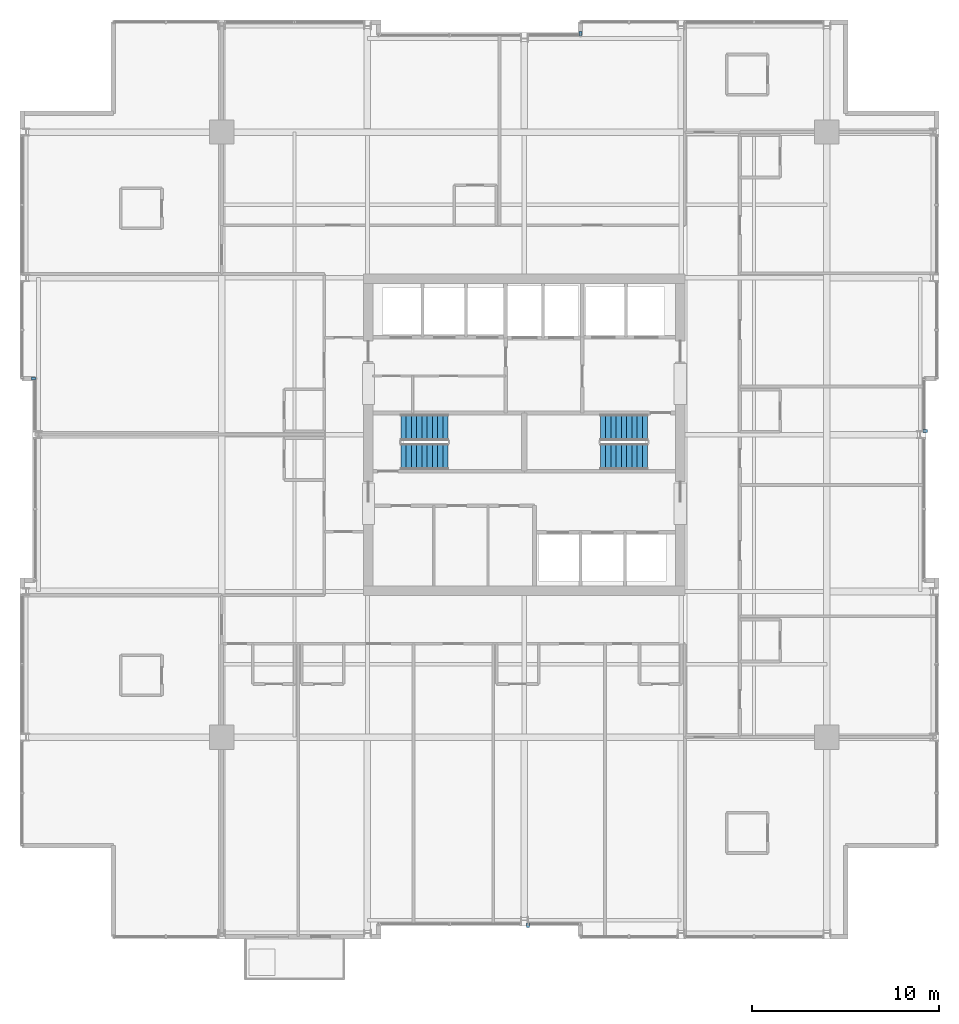
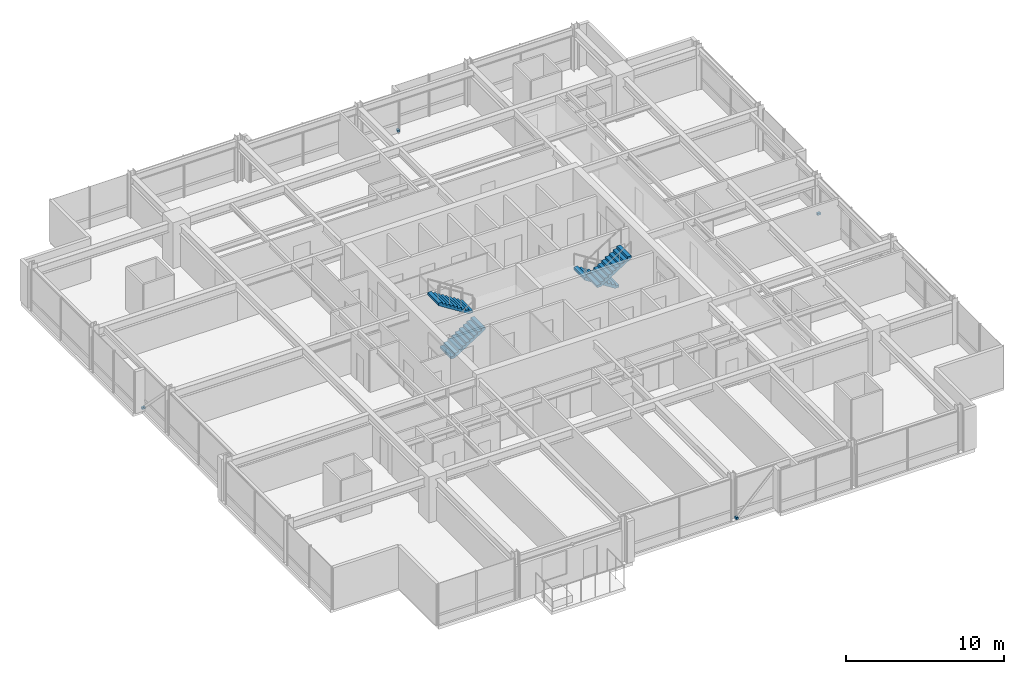
# One storey, part 30 of 33: 4 discrete accessories, 4 stair flights, 2 elements without a shape of their own.
"""IFC4 building model written with IfcOpenShell, lengths in metres."""

import ifcopenshell
import ifcopenshell.guid

model = None  # the IFC model being written
_history = None  # IfcOwnerHistory: only IFC2X3 demands one
_inside = {}  # id of a spatial element -> (the spatial element, [elements in it])
_under = {}  # id of a project, library or spatial element -> (it, [spatial elements below it])
_declared = {}  # id of a project -> (the project, [libraries it declares])
_typed = {}  # id of a type object -> (the type object, [elements of that type])
_made_of = {}  # id of a material, layer set ... -> (it, [elements and type objects made of it])


def new_model(schema):
    """Start an empty IFC model of exactly this schema.

    Asked for "IFC4X3", IfcOpenShell would pick the latest addendum, in which some entities
    have other attributes; the version numbers below select the first issue.
    IFC2X3 requires an IfcOwnerHistory on every rooted entity: one is made here for all.
    """
    global model, _history
    if schema == "IFC4X3":
        model = ifcopenshell.file(schema_version=(4, 3, 0, 0))
    else:
        model = ifcopenshell.file(schema=schema)
    _inside.clear()
    _under.clear()
    _declared.clear()
    _typed.clear()
    _made_of.clear()
    _history = None
    if model.schema == "IFC2X3":
        org = make("IfcOrganization", Name="unknown")
        user = make(
            "IfcPersonAndOrganization",
            ThePerson=make("IfcPerson", FamilyName="unknown"),
            TheOrganization=org,
        )
        app = make(
            "IfcApplication",
            ApplicationDeveloper=org,
            Version="unknown",
            ApplicationFullName="unknown",
            ApplicationIdentifier="unknown",
        )
        _history = make(
            "IfcOwnerHistory",
            OwningUser=user,
            OwningApplication=app,
            ChangeAction="ADDED",
            CreationDate=0,
        )
    return model


def make(cls, **values):
    """One entity of the class cls with the attributes given. An attribute that is None is left unset."""
    return model.create_entity(
        cls, **{name: value for name, value in values.items() if value is not None}
    )


def rooted(cls, **values):
    """An entity with a GlobalId (a new one), such as an element, a storey or a relation."""
    return make(cls, GlobalId=ifcopenshell.guid.new(), OwnerHistory=_history, **values)


def si_unit(unit_type, name, prefix=None):
    """IfcSIUnit, for example si_unit("LENGTHUNIT", "METRE", prefix="MILLI")."""
    return make("IfcSIUnit", UnitType=unit_type, Prefix=prefix, Name=name)


def assignment(units):
    """IfcUnitAssignment: the units of a project."""
    return None if units is None else make("IfcUnitAssignment", Units=units)


def point(xyz):
    """IfcCartesianPoint."""
    return None if xyz is None else make("IfcCartesianPoint", Coordinates=xyz)


def direction(xyz):
    """IfcDirection."""
    return None if xyz is None else make("IfcDirection", DirectionRatios=xyz)


def frame(location, z_axis=None, x_axis=None):
    """IfcAxis2Placement3D, a coordinate frame: its origin and axes. An axis left out is left unset."""
    return make(
        "IfcAxis2Placement3D",
        Location=point(location),
        Axis=direction(z_axis),
        RefDirection=direction(x_axis),
    )


def frame_2d(location, x_axis=None):
    """IfcAxis2Placement2D, a coordinate frame in the plane: its origin and x axis."""
    return make(
        "IfcAxis2Placement2D", Location=point(location), RefDirection=direction(x_axis)
    )


def origin():
    """The frame at (0, 0, 0) with its axes left unset."""
    return frame((0.0, 0.0, 0.0))


def origin_2d():
    """The frame at (0, 0) in the plane with its x axis left unset."""
    return frame_2d((0.0, 0.0))


def place(relative_to, where):
    """IfcLocalPlacement: puts the frame where relative to a parent placement (None: the world)."""
    return make(
        "IfcLocalPlacement", PlacementRelTo=relative_to, RelativePlacement=where
    )


def context(
    kind, dimensions, precision=None, world=None, true_north=None, identifier=None
):
    """IfcGeometricRepresentationContext, for example the 3D "Model" context."""
    return make(
        "IfcGeometricRepresentationContext",
        ContextIdentifier=identifier,
        ContextType=kind,
        CoordinateSpaceDimension=dimensions,
        Precision=precision,
        WorldCoordinateSystem=world,
        TrueNorth=true_north,
    )


def subcontext(parent, identifier, kind, view, scale=None):
    """IfcGeometricRepresentationSubContext, for example "Body" below "Model"."""
    return make(
        "IfcGeometricRepresentationSubContext",
        ContextIdentifier=identifier,
        ContextType=kind,
        ParentContext=parent,
        TargetScale=scale,
        TargetView=view,
    )


def project(units=None, contexts=None):
    """IfcProject with its units and contexts."""
    return rooted(
        "IfcProject",
        Name="project",
        RepresentationContexts=contexts,
        UnitsInContext=assignment(units),
    )


def spatial(cls, under=None, at=None, **own):
    """A site, building, storey or space (cls), placed at a placement, below another one or the project."""
    s = rooted(cls, ObjectPlacement=at, **own)
    if under is not None:
        _under.setdefault(under.id(), (under, []))[1].append(s)
    return s


def polyline(points):
    """IfcPolyline through the points."""
    return make("IfcPolyline", Points=[point(p) for p in points])


def profile(cls, at=None, kind="AREA", **sizes):
    """A parametric profile (cls). Its sizes go by their IFC names, for example OverallWidth=200.0."""
    return make(cls, ProfileType=kind, Position=at, **sizes)


def rectangle(**sizes):
    """IfcRectangleProfileDef."""
    return profile("IfcRectangleProfileDef", **sizes)


def outline(outer, holes=None, kind="AREA"):
    """IfcArbitraryClosedProfileDef: a profile drawn as a closed curve; with holes, ...WithVoids."""
    if holes is None:
        return make("IfcArbitraryClosedProfileDef", ProfileType=kind, OuterCurve=outer)
    return make(
        "IfcArbitraryProfileDefWithVoids",
        ProfileType=kind,
        OuterCurve=outer,
        InnerCurves=holes,
    )


def extrude(swept, where, along, depth):
    """IfcExtrudedAreaSolid: the profile swept, set in the frame where, extruded along a direction by depth."""
    return make(
        "IfcExtrudedAreaSolid",
        SweptArea=swept,
        Position=where,
        ExtrudedDirection=direction(along),
        Depth=depth,
    )


def shape(context_of_items, identifier, shape_type, items):
    """IfcShapeRepresentation: the items that make up one representation, for example the "Body"."""
    return make(
        "IfcShapeRepresentation",
        ContextOfItems=context_of_items,
        RepresentationIdentifier=identifier,
        RepresentationType=shape_type,
        Items=items,
    )


def material(Name=None, Category=None):
    """IfcMaterial."""
    return make("IfcMaterial", Name=Name, Category=Category)


def made_of(thing, what):
    """Note that an element or type object is made of a material, layer set ...; save() writes the relation."""
    if what is not None:
        _made_of.setdefault(what.id(), (what, []))[1].append(thing)
    return thing


def type_object(cls, material=None, **own):
    """A type object (cls), such as IfcWallType, which elements share."""
    return made_of(rooted(cls, **own), material)


def element(
    cls,
    number,
    at=None,
    inside=None,
    cuts=None,
    type_object=None,
    material=None,
    context=None,
    identifier="Body",
    shape_type=None,
    held_by="IfcProductDefinitionShape",
    body=None,
    shapes=None,
    **own,
):
    """One element of the class cls, such as IfcWall. Its Tag is "e" and its number.

    at: its placement. inside: the storey or other place that contains it. cuts: it is an
    opening in that element (IfcRelVoidsElement). A single representation is given by context,
    identifier, shape_type and body (its items); several are given by shapes. held_by: the class
    of the entity that holds the representations. save() writes the other relations.
    """
    e = rooted(cls, Tag="e%d" % number, ObjectPlacement=at, **own)
    if body is not None:
        shapes = [shape(context, identifier, shape_type, body)]
    if shapes is not None:
        e.Representation = make(held_by, Representations=shapes)
    if inside is not None:
        _inside.setdefault(inside.id(), (inside, []))[1].append(e)
    if cuts is not None:
        rooted(
            "IfcRelVoidsElement", RelatingBuildingElement=cuts, RelatedOpeningElement=e
        )
    if type_object is not None:
        _typed.setdefault(type_object.id(), (type_object, []))[1].append(e)
    return made_of(e, material)


def aggregate(whole, parts):
    """IfcRelAggregates: a whole, such as a stair, and the parts it consists of."""
    return rooted("IfcRelAggregates", RelatingObject=whole, RelatedObjects=parts)


def save(model, path):
    """Write the relations noted so far, then the file.

    IfcRelAggregates (storeys below a building ...), IfcRelContainedInSpatialStructure (elements
    in a storey), IfcRelDefinesByType, IfcRelAssociatesMaterial and IfcRelDeclares: one each for
    every whole, place, type object, material and project.
    """
    for whole, parts in _under.values():
        aggregate(whole, parts)
    for where, things in _inside.values():
        rooted(
            "IfcRelContainedInSpatialStructure",
            RelatedElements=things,
            RelatingStructure=where,
        )
    for kind, things in _typed.values():
        rooted("IfcRelDefinesByType", RelatedObjects=things, RelatingType=kind)
    for what, things in _made_of.values():
        rooted("IfcRelAssociatesMaterial", RelatedObjects=things, RelatingMaterial=what)
    for by, libraries in _declared.values():
        rooted("IfcRelDeclares", RelatingContext=by, RelatedDefinitions=libraries)
    model.write(path)


model = new_model("IFC4")

# Units and contexts
model_context = context("Model", 3, precision=1e-05, world=origin(), true_north=direction((0.0, 1.0)))
body_context = subcontext(model_context, "Body", "Model", "MODEL_VIEW")
ifc_project = project(units=[si_unit("LENGTHUNIT", "METRE"), si_unit("AREAUNIT", "SQUARE_METRE"), si_unit("VOLUMEUNIT", "CUBIC_METRE"), si_unit("PLANEANGLEUNIT", "RADIAN"), si_unit("MASSUNIT", "GRAM", prefix="KILO")], contexts=[model_context])

# Site, building, storey
site_placement = place(None, origin())
site = spatial("IfcSite", under=ifc_project, at=site_placement, CompositionType="ELEMENT")
building_placement = place(site_placement, origin())
building = spatial("IfcBuilding", under=site, at=building_placement, Name="Drelvath Grand Hotel", CompositionType="ELEMENT")
storey_placement = place(building_placement, frame((0.0, 0.0, 196.550048828125)))
storey = spatial("IfcBuildingStorey", under=building, at=storey_placement, Name="L51", CompositionType="ELEMENT", Elevation=196.550048828125)

# Stair, stair flights
ifc_material_1 = material(Name="Concrete C40/50", Category="concrete")
stair_type = type_object("IfcStairType", Name="Dogleg Exit Stair W1400-R177.5", PredefinedType="HALF_TURN_STAIR", material=ifc_material_1)
stair_1_placement = place(storey_placement, origin())
stair_1 = element("IfcStair", 1, at=stair_1_placement, inside=storey, type_object=stair_type, Name="L51 Core Exit Stair ST-1", PredefinedType="HALF_TURN_STAIR")
stair_flight_type = type_object("IfcStairFlightType", Name="Concrete Stair Flight W1400-R177.5", PredefinedType="STRAIGHT", material=ifc_material_1)
stair_flight_1_placement = place(storey_placement, frame((-6.60009765625, 25.820068359375, 0.0), z_axis=(0.0, 0.0, 1.0), x_axis=(1.0, 0.0, 0.0)))
stair_flight_1 = element("IfcStairFlight", 2, at=stair_flight_1_placement, type_object=stair_flight_type, Name="ST-1 flight 1", NumberOfRisers=10, NumberOfTreads=9, PredefinedType="STRAIGHT", RiserHeight=0.1775, TreadLength=0.28, context=body_context, shape_type="SweptSolid", body=[
    extrude(outline(polyline([(0.0, 0.0), (0.0, 0.177490234375), (0.280029296875, 0.177490234375), (0.280029296875, 0.35498046875), (0.56005859375, 0.35498046875), (0.56005859375, 0.532470703125), (0.840087890625, 0.532470703125), (0.840087890625, 0.7099609375), (1.1201171875, 0.7099609375), (1.1201171875, 0.887451171875), (1.39990234375, 0.887451171875), (1.39990234375, 1.06494140625), (1.679931640625, 1.06494140625), (1.679931640625, 1.242431640625), (1.9599609375, 1.242431640625), (1.9599609375, 1.419921875), (2.239990234375, 1.419921875), (2.239990234375, 1.597412109375), (2.52001953125, 1.597412109375), (2.52001953125, 1.77490234375), (2.52001953125, 1.408203125), (0.298583984375, 0.0), (0.0, 0.0)])), frame((0.0, 0.699951171875, 0.0), z_axis=(0.0, -1.0, 0.0), x_axis=(1.0, 0.0, 0.0)), (0.0, 0.0, 1.0), 1.39990234375),
])
stair_flight_2_placement = place(storey_placement, frame((-4.080078125, 27.3798828125, 1.77490234375), z_axis=(0.0, 0.0, 1.0), x_axis=(-1.0, 0.0, 0.0)))
stair_flight_2 = element("IfcStairFlight", 3, at=stair_flight_2_placement, type_object=stair_flight_type, Name="ST-1 flight 2", NumberOfRisers=10, NumberOfTreads=9, PredefinedType="STRAIGHT", RiserHeight=0.1775, TreadLength=0.28, context=body_context, shape_type="SweptSolid", body=[
    extrude(outline(polyline([(0.0, 0.0), (0.0, 0.177490234375), (0.280029296875, 0.177490234375), (0.280029296875, 0.35498046875), (0.56005859375, 0.35498046875), (0.56005859375, 0.532470703125), (0.840087890625, 0.532470703125), (0.840087890625, 0.7099609375), (1.1201171875, 0.7099609375), (1.1201171875, 0.887451171875), (1.39990234375, 0.887451171875), (1.39990234375, 1.06494140625), (1.679931640625, 1.06494140625), (1.679931640625, 1.242431640625), (1.9599609375, 1.242431640625), (1.9599609375, 1.419921875), (2.239990234375, 1.419921875), (2.239990234375, 1.597412109375), (2.52001953125, 1.597412109375), (2.52001953125, 1.77490234375), (2.52001953125, 1.408203125), (0.298583984375, 0.0), (0.0, 0.0)])), frame((0.0, 0.699951171875, 0.0), z_axis=(0.0, -1.0, 0.0), x_axis=(1.0, 0.0, 0.0)), (0.0, 0.0, 1.0), 1.39990234375),
])
aggregate(stair_1, [stair_flight_1, stair_flight_2])

stair_2_placement = place(storey_placement, origin())
stair_2 = element("IfcStair", 4, at=stair_2_placement, inside=storey, type_object=stair_type, Name="L51 Core Exit Stair ST-2", PredefinedType="HALF_TURN_STAIR")
stair_flight_3_placement = place(storey_placement, frame((6.60009765625, 27.3798828125, 0.0), z_axis=(0.0, 0.0, 1.0), x_axis=(-1.0, 0.0, 0.0)))
stair_flight_3 = element("IfcStairFlight", 5, at=stair_flight_3_placement, type_object=stair_flight_type, Name="ST-2 flight 1", NumberOfRisers=10, NumberOfTreads=9, PredefinedType="STRAIGHT", RiserHeight=0.1775, TreadLength=0.28, context=body_context, shape_type="SweptSolid", body=[
    extrude(outline(polyline([(0.0, 0.0), (0.0, 0.177490234375), (0.280029296875, 0.177490234375), (0.280029296875, 0.35498046875), (0.56005859375, 0.35498046875), (0.56005859375, 0.532470703125), (0.840087890625, 0.532470703125), (0.840087890625, 0.7099609375), (1.1201171875, 0.7099609375), (1.1201171875, 0.887451171875), (1.39990234375, 0.887451171875), (1.39990234375, 1.06494140625), (1.679931640625, 1.06494140625), (1.679931640625, 1.242431640625), (1.9599609375, 1.242431640625), (1.9599609375, 1.419921875), (2.239990234375, 1.419921875), (2.239990234375, 1.597412109375), (2.52001953125, 1.597412109375), (2.52001953125, 1.77490234375), (2.52001953125, 1.408203125), (0.298583984375, 0.0), (0.0, 0.0)])), frame((0.0, 0.699951171875, 0.0), z_axis=(0.0, -1.0, 0.0), x_axis=(1.0, 0.0, 0.0)), (0.0, 0.0, 1.0), 1.39990234375),
])
stair_flight_4_placement = place(storey_placement, frame((4.080078125, 25.820068359375, 1.77490234375), z_axis=(0.0, 0.0, 1.0), x_axis=(1.0, 0.0, 0.0)))
stair_flight_4 = element("IfcStairFlight", 6, at=stair_flight_4_placement, type_object=stair_flight_type, Name="ST-2 flight 2", NumberOfRisers=10, NumberOfTreads=9, PredefinedType="STRAIGHT", RiserHeight=0.1775, TreadLength=0.28, context=body_context, shape_type="SweptSolid", body=[
    extrude(outline(polyline([(0.0, 0.0), (0.0, 0.177490234375), (0.280029296875, 0.177490234375), (0.280029296875, 0.35498046875), (0.56005859375, 0.35498046875), (0.56005859375, 0.532470703125), (0.840087890625, 0.532470703125), (0.840087890625, 0.7099609375), (1.1201171875, 0.7099609375), (1.1201171875, 0.887451171875), (1.39990234375, 0.887451171875), (1.39990234375, 1.06494140625), (1.679931640625, 1.06494140625), (1.679931640625, 1.242431640625), (1.9599609375, 1.242431640625), (1.9599609375, 1.419921875), (2.239990234375, 1.419921875), (2.239990234375, 1.597412109375), (2.52001953125, 1.597412109375), (2.52001953125, 1.77490234375), (2.52001953125, 1.408203125), (0.298583984375, 0.0), (0.0, 0.0)])), frame((0.0, 0.699951171875, 0.0), z_axis=(0.0, -1.0, 0.0), x_axis=(1.0, 0.0, 0.0)), (0.0, 0.0, 1.0), 1.39990234375),
])
aggregate(stair_2, [stair_flight_3, stair_flight_4])

# Discrete accessories
ifc_material_2 = material(Name="Stainless Steel Grade 316", Category="steel")
discrete_accessory_type = type_object("IfcDiscreteAccessoryType", Name="Curtain Wall Fin Mounting Bracket Cleat", PredefinedType="BRACKET", material=ifc_material_2)
for number, where, z_axis, x_axis, name in (
    (7, (-26.260009765625, 30.0, 0.10009765625), (0.0, 0.0, 1.0), (0.0, 1.0, 0.0), "L51 Fin Mounting Bracket CW04-L51-WM2-1"),
    (8, (21.4599609375, 27.191650390625, 0.10009765625), (0.0, 0.0, 1.0), (0.0, -1.0, 0.0), "L51 Fin Mounting Bracket CW04-L51-EM2-1"),
    (9, (3.0, 48.4599609375, 0.10009765625), (0.0, 0.0, 1.0), (1.0, 0.0, 0.0), "L51 Fin Mounting Bracket CW04-L51-NM2-1"),
    (10, (0.191650390625, 0.739990234375, 0.10009765625), (0.0, 0.0, 1.0), (-1.0, 0.0, 0.0), "L51 Fin Mounting Bracket CW04-L51-SM2-1"),
):
    element("IfcDiscreteAccessory", number, at=place(storey_placement, frame(where, z_axis=z_axis, x_axis=x_axis)), inside=storey, type_object=discrete_accessory_type, Name=name, PredefinedType="BRACKET", context=body_context, shape_type="SweptSolid", body=[
        extrude(rectangle(XDim=0.159912109375, YDim=0.239990234375, at=origin_2d()), origin(), (0.0, 0.0, 1.0), 0.159912109375),
    ])

save(model, "model.ifc")
